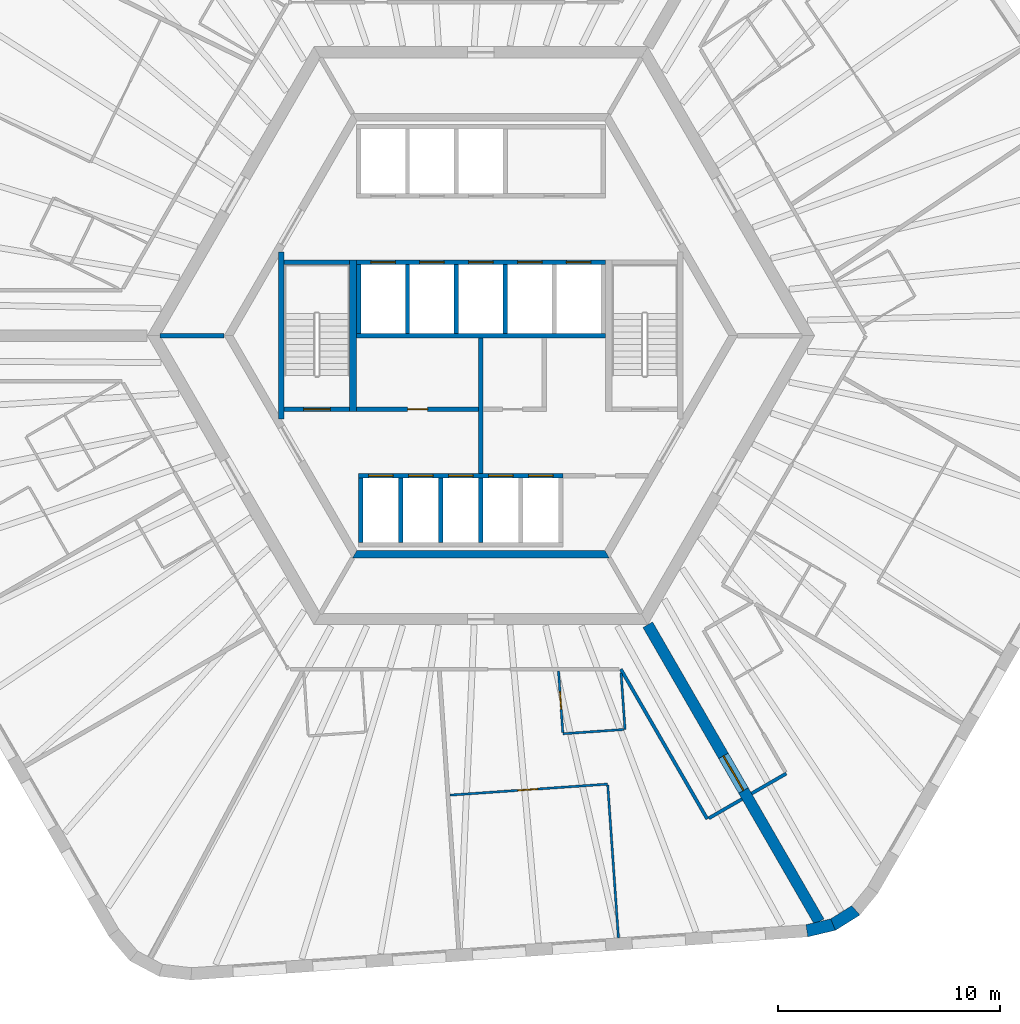
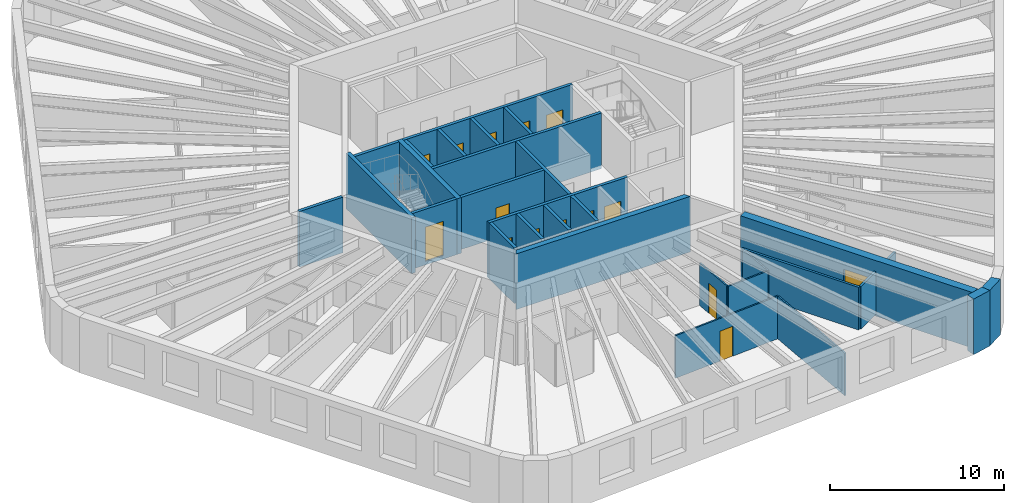
# One storey, part 4 of 10: 30 walls, 15 doors, 15 openings.
"""IFC4 building model written with IfcOpenShell, lengths in metres."""

from ifc_helpers import new_model, si_unit, direction, frame, frame_2d, origin, place, context, subcontext, project, spatial, polyline, rectangle, outline, extrude, material, layer, layer_set, type_object, element, fill, save


model = new_model("IFC4")

# Units and contexts
model_context = context("Model", 3, precision=1e-05, world=origin(), true_north=direction((0.0, 1.0)))
body_context = subcontext(model_context, "Body", "Model", "MODEL_VIEW")
ifc_project = project(units=[si_unit("LENGTHUNIT", "METRE"), si_unit("AREAUNIT", "SQUARE_METRE"), si_unit("VOLUMEUNIT", "CUBIC_METRE"), si_unit("PLANEANGLEUNIT", "RADIAN"), si_unit("MASSUNIT", "GRAM", prefix="KILO")], contexts=[model_context])

# Site, building, storey
site_placement = place(None, origin())
site = spatial("IfcSite", under=ifc_project, at=site_placement, CompositionType="ELEMENT")
building_placement = place(site_placement, origin())
building = spatial("IfcBuilding", under=site, at=building_placement, Name="Tarnside Tower", CompositionType="ELEMENT")
storey_placement = place(building_placement, frame((0.0, 0.0, 172.199951171875)))
storey = spatial("IfcBuildingStorey", under=building, at=storey_placement, Name="L40", CompositionType="ELEMENT", Elevation=172.199951171875)

# Walls
ifc_material_1 = material(Name="Gypsum board partition on steel studs", Category="steel")
ifc_layer_1 = layer(ifc_material_1, 0.10009765625)
ifc_layer_set_1 = layer_set([ifc_layer_1], Name="Bathroom wall 100")
wall_type_1 = type_object("IfcWallType", Name="Bathroom wall 100", PredefinedType="PARTITIONING", material=ifc_layer_set_1)
wall_1_placement = place(storey_placement, frame((6.30517578125, -15.170654296875, 0.0), z_axis=(0.0, 0.0, 1.0), x_axis=(0.069671554491, -0.99756998476, 0.0)))
element("IfcWall", 1, at=wall_1_placement, inside=storey, type_object=wall_type_1, Name="Bathroom wall 12081", PredefinedType="PARTITIONING", context=body_context, shape_type="SweptSolid", body=[
    extrude(rectangle(XDim=2.5439453125, YDim=0.10009765625, at=frame_2d((1.27197265625, 0.0))), origin(), (0.0, 0.0, 1.0), 2.98779296875),
])
wall_2_placement = place(storey_placement, frame((6.4326171875, -17.7119140625, 0.0), z_axis=(0.0, 0.0, 1.0), x_axis=(-0.997562614302, -0.069777005859, 0.0)))
element("IfcWall", 2, at=wall_2_placement, inside=storey, type_object=wall_type_1, Name="Bathroom wall 12082", PredefinedType="PARTITIONING", context=body_context, shape_type="SweptSolid", body=[
    extrude(rectangle(XDim=2.75, YDim=0.10009765625, at=frame_2d((1.375, 0.0))), origin(), (0.0, 0.0, 1.0), 2.98779296875),
])

# Wall, opening, door
wall_3_placement = place(storey_placement, frame((3.685791015625, -17.85400390625, 0.0), z_axis=(0.0, 0.0, 1.0), x_axis=(-0.069758488261, 0.997563909389, 0.0)))
wall_3 = element("IfcWall", 3, at=wall_3_placement, inside=storey, type_object=wall_type_1, Name="Bathroom wall 12083", PredefinedType="PARTITIONING", context=body_context, shape_type="SweptSolid", body=[
    extrude(rectangle(XDim=2.785888671875, YDim=0.10009765625, at=frame_2d((1.39306640625, 0.0))), origin(), (0.0, 0.0, 1.0), 2.98779296875),
])
opening_1_placement = place(wall_3_placement, frame((1.050048828125, 0.0, 0.0)))
opening_1 = element("IfcOpeningElement", 4, at=opening_1_placement, cuts=wall_3, Name="Opening D-B1", PredefinedType="OPENING", context=body_context, shape_type="SweptSolid", body=[
    extrude(rectangle(XDim=0.800048828125, YDim=2.10009765625, at=frame_2d((0.39990234375, 1.050048828125))), frame((0.0, 0.06005859375, 0.0), z_axis=(0.0, -1.0, 0.0), x_axis=(1.0, 0.0, 0.0)), (0.0, 0.0, 1.0), 0.1201171875),
])
ifc_material_2 = material(Name="Timber door leaf", Category="wood")
door_type_1 = type_object("IfcDoorType", Name="Bathroom door 800", OperationType="NOTDEFINED", PredefinedType="DOOR", material=ifc_material_2)
door_1_placement = place(opening_1_placement, origin())
door_1 = element("IfcDoor", 5, at=door_1_placement, inside=storey, type_object=door_type_1, Name="Bathroom door 12020", OperationType="SINGLE_SWING_LEFT", OverallHeight=2.10009765625, OverallWidth=0.800048828125, PredefinedType="DOOR", context=body_context, shape_type="SweptSolid", body=[
    extrude(rectangle(XDim=0.800048828125, YDim=2.10009765625, at=frame_2d((0.39990234375, 1.050048828125))), frame((0.0, 0.02490234375, 0.0), z_axis=(0.0, -1.0, 0.0), x_axis=(1.0, 0.0, 0.0)), (0.0, 0.0, 1.0), 0.050048828125),
])
fill(opening_1, door_1)

# Wall
ifc_material_3 = material(Name="Concrete C50/60", Category="concrete")
ifc_layer_2 = layer(ifc_material_3, 0.35009765625)
ifc_layer_set_2 = layer_set([ifc_layer_2], Name="Core block wall 350 C50/60")
wall_type_2 = type_object("IfcWallType", Name="Core block wall 350 C50/60", PredefinedType="SHEAR", material=ifc_layer_set_2)
wall_4_placement = place(storey_placement, frame((-5.672607421875, -9.824951171875, -0.14990234375), z_axis=(0.0, 0.0, 1.0), x_axis=(1.0, 0.0, 0.0)))
element("IfcWall", 6, at=wall_4_placement, inside=storey, type_object=wall_type_2, Name="L40 core block wall face 4", PredefinedType="SHEAR", context=body_context, shape_type="SweptSolid", body=[
    extrude(outline(polyline([(-0.10107421875, -0.175048828125), (11.4462890625, -0.175048828125), (11.244140625, 0.175048828125), (0.10107421875, 0.175048828125), (-0.10107421875, -0.175048828125)])), origin(), (0.0, 0.0, 1.0), 3.89990234375),
])

# Wall, opening, door
ifc_material_4 = material(Name="Concrete C40/50", Category="concrete")
ifc_layer_3 = layer(ifc_material_4, 0.199951171875)
ifc_layer_set_3 = layer_set([ifc_layer_3], Name="Core room partition 200 C40/50")
wall_type_3 = type_object("IfcWallType", Name="Core room partition 200 C40/50", PredefinedType="PARTITIONING", material=ifc_layer_set_3)
wall_5_placement = place(storey_placement, frame((-5.60009765625, -3.300048828125, 0.0), z_axis=(0.0, 0.0, 1.0), x_axis=(1.0, 0.0, 0.0)))
wall_5 = element("IfcWall", 7, at=wall_5_placement, inside=storey, type_object=wall_type_3, Name="L40 core partition W3", PredefinedType="PARTITIONING", context=body_context, shape_type="SweptSolid", body=[
    extrude(rectangle(XDim=5.5, YDim=0.199951171875, at=frame_2d((2.75, 0.0))), origin(), (0.0, 0.0, 1.0), 3.650146484375),
])
opening_2_placement = place(wall_5_placement, frame((2.300048828125, 0.0, 0.0)))
opening_2 = element("IfcOpeningElement", 8, at=opening_2_placement, cuts=wall_5, Name="Opening CD-room", PredefinedType="OPENING", context=body_context, shape_type="SweptSolid", body=[
    extrude(rectangle(XDim=0.89990234375, YDim=2.10009765625, at=frame_2d((0.449951171875, 1.050048828125))), frame((0.0, 0.10986328125, 0.0), z_axis=(0.0, -1.0, 0.0), x_axis=(1.0, 0.0, 0.0)), (0.0, 0.0, 1.0), 0.219970703125),
])
ifc_material_5 = material(Name="Steel fire door", Category="steel")
door_type_2 = type_object("IfcDoorType", Name="Room door FD60 900x2100", OperationType="NOTDEFINED", PredefinedType="DOOR", material=ifc_material_5)
door_2_placement = place(opening_2_placement, origin())
door_2 = element("IfcDoor", 9, at=door_2_placement, inside=storey, type_object=door_type_2, Name="L40 core room door W3D", OperationType="SINGLE_SWING_LEFT", OverallHeight=2.10009765625, OverallWidth=0.89990234375, PredefinedType="DOOR", context=body_context, shape_type="SweptSolid", body=[
    extrude(rectangle(XDim=0.89990234375, YDim=2.10009765625, at=frame_2d((0.449951171875, 1.050048828125))), frame((0.0, 0.02490234375, 0.0), z_axis=(0.0, -1.0, 0.0), x_axis=(1.0, 0.0, 0.0)), (0.0, 0.0, 1.0), 0.050048828125),
])
fill(opening_2, door_2)

# Wall
wall_6_placement = place(storey_placement, frame((0.0, -6.199951171875, 0.0), z_axis=(0.0, 0.0, 1.0), x_axis=(0.0, 1.0, 0.0)))
element("IfcWall", 10, at=wall_6_placement, inside=storey, type_object=wall_type_3, Name="L40 core partition X0", PredefinedType="PARTITIONING", context=body_context, shape_type="SweptSolid", body=[
    extrude(rectangle(XDim=6.099853515625, YDim=0.199951171875, at=frame_2d((3.0498046875, 0.0))), origin(), (0.0, 0.0, 1.0), 3.650146484375),
])

# Wall, opening, door
ifc_material_6 = material(Name="Concrete C70/85", Category="concrete")
ifc_layer_4 = layer(ifc_material_6, 0.5)
ifc_layer_set_4 = layer_set([ifc_layer_4], Name="Core wall Z2 500 C70/85")
wall_type_4 = type_object("IfcWallType", Name="Core wall Z2 500 C70/85", PredefinedType="SHEAR", material=ifc_layer_set_4)
wall_7_placement = place(storey_placement, frame((7.505615234375, -13.0, -0.14990234375), z_axis=(0.0, 0.0, 1.0), x_axis=(0.499988271576, -0.866032175087, 0.0)))
wall_7 = element("IfcWall", 11, at=wall_7_placement, inside=storey, type_object=wall_type_4, Name="L40 spine wall 3", PredefinedType="SHEAR", context=body_context, shape_type="SweptSolid", body=[
    extrude(rectangle(XDim=15.423583984375, YDim=0.5, at=frame_2d((7.7119140625, 0.0))), origin(), (0.0, 0.0, 1.0), 3.89990234375),
])
opening_3_placement = place(wall_7_placement, frame((6.811767578125, 0.0, 0.14990234375)))
opening_3 = element("IfcOpeningElement", 12, at=opening_3_placement, cuts=wall_7, Name="Opening CD-SPN", PredefinedType="OPENING", context=body_context, shape_type="SweptSolid", body=[
    extrude(rectangle(XDim=1.800048828125, YDim=2.39990234375, at=frame_2d((0.89990234375, 1.199951171875))), frame((0.0, 0.260009765625, 0.0), z_axis=(0.0, -1.0, 0.0), x_axis=(1.0, 0.0, 0.0)), (0.0, 0.0, 1.0), 0.52001953125),
])
door_type_3 = type_object("IfcDoorType", Name="Spine passage double door FD60 1800x2400", OperationType="NOTDEFINED", PredefinedType="DOOR", material=ifc_material_5)
door_3_placement = place(opening_3_placement, origin())
door_3 = element("IfcDoor", 13, at=door_3_placement, inside=storey, type_object=door_type_3, Name="L40 spine passage door 3", OperationType="DOUBLE_DOOR_SINGLE_SWING", OverallHeight=2.39990234375, OverallWidth=1.800048828125, PredefinedType="DOOR", context=body_context, shape_type="SweptSolid", body=[
    extrude(rectangle(XDim=1.800048828125, YDim=2.39990234375, at=frame_2d((0.89990234375, 1.199951171875))), frame((0.0, 0.02490234375, 0.0), z_axis=(0.0, -1.0, 0.0), x_axis=(1.0, 0.0, 0.0)), (0.0, 0.0, 1.0), 0.050048828125),
])
fill(opening_3, door_3)

# Walls
ifc_layer_5 = layer(ifc_material_1, 0.14990234375)
ifc_layer_set_5 = layer_set([ifc_layer_5], Name="Corridor wall 150 EI 60")
wall_type_5 = type_object("IfcWallType", Name="Corridor wall 150 EI 60", PredefinedType="PARTITIONING", material=ifc_layer_set_5)
wall_8_placement = place(storey_placement, frame((6.293212890625, -15.0, 0.0), z_axis=(0.0, 0.0, 1.0), x_axis=(0.499980313799, -0.86603676932, 0.0)))
element("IfcWall", 14, at=wall_8_placement, inside=storey, type_object=wall_type_5, Name="Corridor wall 12025", PredefinedType="PARTITIONING", context=body_context, shape_type="SweptSolid", body=[
    extrude(rectangle(XDim=7.785888671875, YDim=0.14990234375, at=frame_2d((3.89306640625, 0.0))), origin(), (0.0, 0.0, 1.0), 2.98779296875),
])
wall_9_placement = place(storey_placement, frame((10.2509765625, -21.705322265625, 0.0), z_axis=(0.0, 0.0, 1.0), x_axis=(0.866013532718, 0.500020560727, 0.0)))
element("IfcWall", 15, at=wall_9_placement, inside=storey, type_object=wall_type_5, Name="Corridor wall 12026", PredefinedType="PARTITIONING", context=body_context, shape_type="SweptSolid", body=[
    extrude(rectangle(XDim=1.72509765625, YDim=0.14990234375, at=frame_2d((0.862548828125, 0.0))), origin(), (0.0, 0.0, 1.0), 2.98779296875),
])
wall_10_placement = place(storey_placement, frame((12.177978515625, -20.5927734375, 0.0), z_axis=(0.0, 0.0, 1.0), x_axis=(0.866047807691, 0.499961193289, 0.0)))
element("IfcWall", 16, at=wall_10_placement, inside=storey, type_object=wall_type_5, Name="Corridor wall 12028", PredefinedType="PARTITIONING", context=body_context, shape_type="SweptSolid", body=[
    extrude(rectangle(XDim=1.800048828125, YDim=0.14990234375, at=frame_2d((0.89990234375, 0.0))), origin(), (0.0, 0.0, 1.0), 2.98779296875),
])

# Wall, openings, doors
ifc_layer_6 = layer(ifc_material_4, 0.199951171875)
ifc_layer_set_6 = layer_set([ifc_layer_6], Name="Lift shaft wall 200 C40/50")
wall_type_6 = type_object("IfcWallType", Name="Lift shaft wall 200 C40/50", PredefinedType="SHEAR", material=ifc_layer_set_6)
wall_11_placement = place(storey_placement, frame((-5.60009765625, 3.300048828125, -0.25), z_axis=(0.0, 0.0, 1.0), x_axis=(1.0, 0.0, 0.0)))
wall_11 = element("IfcWall", 17, at=wall_11_placement, inside=storey, type_object=wall_type_6, Name="L40 lift shaft front wall R2", PredefinedType="SHEAR", context=body_context, shape_type="SweptSolid", body=[
    extrude(rectangle(XDim=11.2001953125, YDim=0.199951171875, at=frame_2d((5.60009765625, 0.0))), origin(), (0.0, 0.0, 1.0), 3.900146484375),
])
opening_4_placement = place(wall_11_placement, frame((0.64990234375, 0.0, 0.25)))
opening_4 = element("IfcOpeningElement", 18, at=opening_4_placement, cuts=wall_11, Name="Opening LD", PredefinedType="OPENING", context=body_context, shape_type="SweptSolid", body=[
    extrude(rectangle(XDim=1.10009765625, YDim=2.10009765625, at=frame_2d((0.550048828125, 1.050048828125))), frame((0.0, 0.10986328125, 0.0), z_axis=(0.0, -1.0, 0.0), x_axis=(1.0, 0.0, 0.0)), (0.0, 0.0, 1.0), 0.219970703125),
])
opening_5_placement = place(wall_11_placement, frame((2.85009765625, 0.0, 0.25)))
opening_5 = element("IfcOpeningElement", 19, at=opening_5_placement, cuts=wall_11, Name="Opening LD", PredefinedType="OPENING", context=body_context, shape_type="SweptSolid", body=[
    extrude(rectangle(XDim=1.10009765625, YDim=2.10009765625, at=frame_2d((0.550048828125, 1.050048828125))), frame((0.0, 0.10986328125, 0.0), z_axis=(0.0, -1.0, 0.0), x_axis=(1.0, 0.0, 0.0)), (0.0, 0.0, 1.0), 0.219970703125),
])
opening_6_placement = place(wall_11_placement, frame((5.050048828125, 0.0, 0.25)))
opening_6 = element("IfcOpeningElement", 20, at=opening_6_placement, cuts=wall_11, Name="Opening LD", PredefinedType="OPENING", context=body_context, shape_type="SweptSolid", body=[
    extrude(rectangle(XDim=1.10009765625, YDim=2.10009765625, at=frame_2d((0.550048828125, 1.050048828125))), frame((0.0, 0.10986328125, 0.0), z_axis=(0.0, -1.0, 0.0), x_axis=(1.0, 0.0, 0.0)), (0.0, 0.0, 1.0), 0.219970703125),
])
opening_7_placement = place(wall_11_placement, frame((7.25, 0.0, 0.25)))
opening_7 = element("IfcOpeningElement", 21, at=opening_7_placement, cuts=wall_11, Name="Opening LD", PredefinedType="OPENING", context=body_context, shape_type="SweptSolid", body=[
    extrude(rectangle(XDim=1.10009765625, YDim=2.10009765625, at=frame_2d((0.550048828125, 1.050048828125))), frame((0.0, 0.10986328125, 0.0), z_axis=(0.0, -1.0, 0.0), x_axis=(1.0, 0.0, 0.0)), (0.0, 0.0, 1.0), 0.219970703125),
])
opening_8_placement = place(wall_11_placement, frame((9.449951171875, 0.0, 0.25)))
opening_8 = element("IfcOpeningElement", 22, at=opening_8_placement, cuts=wall_11, Name="Opening LD", PredefinedType="OPENING", context=body_context, shape_type="SweptSolid", body=[
    extrude(rectangle(XDim=1.10009765625, YDim=2.10009765625, at=frame_2d((0.550048828125, 1.050048828125))), frame((0.0, 0.10986328125, 0.0), z_axis=(0.0, -1.0, 0.0), x_axis=(1.0, 0.0, 0.0)), (0.0, 0.0, 1.0), 0.219970703125),
])
ifc_material_7 = material(Name="Stainless steel", Category="steel")
door_type_4 = type_object("IfcDoorType", Name="Lift landing door 1100x2100", OperationType="NOTDEFINED", PredefinedType="DOOR", material=ifc_material_7)
door_4_placement = place(opening_4_placement, origin())
door_4 = element("IfcDoor", 23, at=door_4_placement, inside=storey, type_object=door_type_4, Name="Mid-rise lift 4 landing door L40", OperationType="SLIDING_TO_LEFT", OverallHeight=2.10009765625, OverallWidth=1.10009765625, PredefinedType="DOOR", context=body_context, shape_type="SweptSolid", body=[
    extrude(rectangle(XDim=1.10009765625, YDim=2.10009765625, at=frame_2d((0.550048828125, 1.050048828125))), frame((0.0, 0.02490234375, 0.0), z_axis=(0.0, -1.0, 0.0), x_axis=(1.0, 0.0, 0.0)), (0.0, 0.0, 1.0), 0.050048828125),
])
fill(opening_4, door_4)
door_5_placement = place(opening_5_placement, origin())
door_5 = element("IfcDoor", 24, at=door_5_placement, inside=storey, type_object=door_type_4, Name="Mid-rise lift 5 landing door L40", OperationType="SLIDING_TO_LEFT", OverallHeight=2.10009765625, OverallWidth=1.10009765625, PredefinedType="DOOR", context=body_context, shape_type="SweptSolid", body=[
    extrude(rectangle(XDim=1.10009765625, YDim=2.10009765625, at=frame_2d((0.550048828125, 1.050048828125))), frame((0.0, 0.02490234375, 0.0), z_axis=(0.0, -1.0, 0.0), x_axis=(1.0, 0.0, 0.0)), (0.0, 0.0, 1.0), 0.050048828125),
])
fill(opening_5, door_5)
door_6_placement = place(opening_6_placement, origin())
door_6 = element("IfcDoor", 25, at=door_6_placement, inside=storey, type_object=door_type_4, Name="Mid-rise lift 6 landing door L40", OperationType="SLIDING_TO_LEFT", OverallHeight=2.10009765625, OverallWidth=1.10009765625, PredefinedType="DOOR", context=body_context, shape_type="SweptSolid", body=[
    extrude(rectangle(XDim=1.10009765625, YDim=2.10009765625, at=frame_2d((0.550048828125, 1.050048828125))), frame((0.0, 0.02490234375, 0.0), z_axis=(0.0, -1.0, 0.0), x_axis=(1.0, 0.0, 0.0)), (0.0, 0.0, 1.0), 0.050048828125),
])
fill(opening_6, door_6)
door_7_placement = place(opening_7_placement, origin())
door_7 = element("IfcDoor", 26, at=door_7_placement, inside=storey, type_object=door_type_4, Name="High sky-lobby shuttle 1 landing door L40", OperationType="SLIDING_TO_LEFT", OverallHeight=2.10009765625, OverallWidth=1.10009765625, PredefinedType="DOOR", context=body_context, shape_type="SweptSolid", body=[
    extrude(rectangle(XDim=1.10009765625, YDim=2.10009765625, at=frame_2d((0.550048828125, 1.050048828125))), frame((0.0, 0.02490234375, 0.0), z_axis=(0.0, -1.0, 0.0), x_axis=(1.0, 0.0, 0.0)), (0.0, 0.0, 1.0), 0.050048828125),
])
fill(opening_7, door_7)
door_8_placement = place(opening_8_placement, origin())
door_8 = element("IfcDoor", 27, at=door_8_placement, inside=storey, type_object=door_type_4, Name="Express sky-lobby shuttle 2 landing door L40", OperationType="SLIDING_TO_LEFT", OverallHeight=2.10009765625, OverallWidth=1.10009765625, PredefinedType="DOOR", context=body_context, shape_type="SweptSolid", body=[
    extrude(rectangle(XDim=1.10009765625, YDim=2.10009765625, at=frame_2d((0.550048828125, 1.050048828125))), frame((0.0, 0.02490234375, 0.0), z_axis=(0.0, -1.0, 0.0), x_axis=(1.0, 0.0, 0.0)), (0.0, 0.0, 1.0), 0.050048828125),
])
fill(opening_8, door_8)

# Walls
wall_12_placement = place(storey_placement, frame((-5.60009765625, 0.0, -0.25), z_axis=(0.0, 0.0, 1.0), x_axis=(1.0, 0.0, 0.0)))
element("IfcWall", 28, at=wall_12_placement, inside=storey, type_object=wall_type_6, Name="L40 lift shaft back wall R2", PredefinedType="SHEAR", context=body_context, shape_type="SweptSolid", body=[
    extrude(rectangle(XDim=11.2001953125, YDim=0.199951171875, at=frame_2d((5.60009765625, 0.0))), origin(), (0.0, 0.0, 1.0), 3.900146484375),
])
for number, where, z_axis, x_axis, name in (
    (29, (-5.5, 0.10009765625, -0.25), (0.0, 0.0, 1.0), (0.0, 1.0, 0.0), "L40 lift shaft partition R21"),
    (30, (-3.300048828125, 0.10009765625, -0.25), (0.0, 0.0, 1.0), (0.0, 1.0, 0.0), "L40 lift shaft partition R22"),
    (31, (-1.10009765625, 0.10009765625, -0.25), (0.0, 0.0, 1.0), (0.0, 1.0, 0.0), "L40 lift shaft partition R23"),
    (32, (1.10009765625, 0.10009765625, -0.25), (0.0, 0.0, 1.0), (0.0, 1.0, 0.0), "L40 lift shaft partition R24"),
):
    element("IfcWall", number, at=place(storey_placement, frame(where, z_axis=z_axis, x_axis=x_axis)), inside=storey, type_object=wall_type_6, Name=name, PredefinedType="SHEAR", context=body_context, shape_type="SweptSolid", body=[
        extrude(rectangle(XDim=3.099853515625, YDim=0.199951171875, at=frame_2d((1.5498046875, 0.0))), origin(), (0.0, 0.0, 1.0), 3.900146484375),
    ])

# Wall, openings, doors
wall_13_placement = place(storey_placement, frame((-5.5, -6.300048828125, -0.25), z_axis=(0.0, 0.0, 1.0), x_axis=(1.0, 0.0, 0.0)))
wall_13 = element("IfcWall", 33, at=wall_13_placement, inside=storey, type_object=wall_type_6, Name="L40 lift shaft front wall R4", PredefinedType="SHEAR", context=body_context, shape_type="SweptSolid", body=[
    extrude(rectangle(XDim=9.199951171875, YDim=0.199951171875, at=frame_2d((4.60009765625, 0.0))), origin(), (0.0, 0.0, 1.0), 3.900146484375),
])
opening_9_placement = place(wall_13_placement, frame((0.449951171875, 0.0, 0.25)))
opening_9 = element("IfcOpeningElement", 34, at=opening_9_placement, cuts=wall_13, Name="Opening LDF", PredefinedType="OPENING", context=body_context, shape_type="SweptSolid", body=[
    extrude(rectangle(XDim=1.10009765625, YDim=2.10009765625, at=frame_2d((0.550048828125, 1.050048828125))), frame((0.0, 0.10986328125, 0.0), z_axis=(0.0, -1.0, 0.0), x_axis=(1.0, 0.0, 0.0)), (0.0, 0.0, 1.0), 0.219970703125),
])
opening_10_placement = place(wall_13_placement, frame((2.25, 0.0, 0.25)))
opening_10 = element("IfcOpeningElement", 35, at=opening_10_placement, cuts=wall_13, Name="Opening LDF", PredefinedType="OPENING", context=body_context, shape_type="SweptSolid", body=[
    extrude(rectangle(XDim=1.10009765625, YDim=2.10009765625, at=frame_2d((0.550048828125, 1.050048828125))), frame((0.0, 0.10986328125, 0.0), z_axis=(0.0, -1.0, 0.0), x_axis=(1.0, 0.0, 0.0)), (0.0, 0.0, 1.0), 0.219970703125),
])
opening_11_placement = place(wall_13_placement, frame((4.050048828125, 0.0, 0.25)))
opening_11 = element("IfcOpeningElement", 36, at=opening_11_placement, cuts=wall_13, Name="Opening LDF", PredefinedType="OPENING", context=body_context, shape_type="SweptSolid", body=[
    extrude(rectangle(XDim=1.10009765625, YDim=2.10009765625, at=frame_2d((0.550048828125, 1.050048828125))), frame((0.0, 0.10986328125, 0.0), z_axis=(0.0, -1.0, 0.0), x_axis=(1.0, 0.0, 0.0)), (0.0, 0.0, 1.0), 0.219970703125),
])
opening_12_placement = place(wall_13_placement, frame((5.85009765625, 0.0, 0.25)))
opening_12 = element("IfcOpeningElement", 37, at=opening_12_placement, cuts=wall_13, Name="Opening LDF", PredefinedType="OPENING", context=body_context, shape_type="SweptSolid", body=[
    extrude(rectangle(XDim=1.10009765625, YDim=2.10009765625, at=frame_2d((0.550048828125, 1.050048828125))), frame((0.0, 0.10986328125, 0.0), z_axis=(0.0, -1.0, 0.0), x_axis=(1.0, 0.0, 0.0)), (0.0, 0.0, 1.0), 0.219970703125),
])
opening_13_placement = place(wall_13_placement, frame((7.64990234375, 0.0, 0.25)))
opening_13 = element("IfcOpeningElement", 38, at=opening_13_placement, cuts=wall_13, Name="Opening LDF", PredefinedType="OPENING", context=body_context, shape_type="SweptSolid", body=[
    extrude(rectangle(XDim=1.10009765625, YDim=2.10009765625, at=frame_2d((0.550048828125, 1.050048828125))), frame((0.0, 0.10986328125, 0.0), z_axis=(0.0, -1.0, 0.0), x_axis=(1.0, 0.0, 0.0)), (0.0, 0.0, 1.0), 0.219970703125),
])
door_type_5 = type_object("IfcDoorType", Name="Lift landing door 1100x2100 EI 120", OperationType="NOTDEFINED", PredefinedType="DOOR", material=ifc_material_7)
door_9_placement = place(opening_9_placement, origin())
door_9 = element("IfcDoor", 39, at=door_9_placement, inside=storey, type_object=door_type_5, Name="Firefighting lift 1 landing door L40", OperationType="SLIDING_TO_LEFT", OverallHeight=2.10009765625, OverallWidth=1.10009765625, PredefinedType="DOOR", context=body_context, shape_type="SweptSolid", body=[
    extrude(rectangle(XDim=1.10009765625, YDim=2.10009765625, at=frame_2d((0.550048828125, 1.050048828125))), frame((0.0, 0.02490234375, 0.0), z_axis=(0.0, -1.0, 0.0), x_axis=(1.0, 0.0, 0.0)), (0.0, 0.0, 1.0), 0.050048828125),
])
fill(opening_9, door_9)
door_10_placement = place(opening_10_placement, origin())
door_10 = element("IfcDoor", 40, at=door_10_placement, inside=storey, type_object=door_type_5, Name="Firefighting lift 2 landing door L40", OperationType="SLIDING_TO_LEFT", OverallHeight=2.10009765625, OverallWidth=1.10009765625, PredefinedType="DOOR", context=body_context, shape_type="SweptSolid", body=[
    extrude(rectangle(XDim=1.10009765625, YDim=2.10009765625, at=frame_2d((0.550048828125, 1.050048828125))), frame((0.0, 0.02490234375, 0.0), z_axis=(0.0, -1.0, 0.0), x_axis=(1.0, 0.0, 0.0)), (0.0, 0.0, 1.0), 0.050048828125),
])
fill(opening_10, door_10)
door_11_placement = place(opening_11_placement, origin())
door_11 = element("IfcDoor", 41, at=door_11_placement, inside=storey, type_object=door_type_5, Name="Firefighting lift 3 landing door L40", OperationType="SLIDING_TO_LEFT", OverallHeight=2.10009765625, OverallWidth=1.10009765625, PredefinedType="DOOR", context=body_context, shape_type="SweptSolid", body=[
    extrude(rectangle(XDim=1.10009765625, YDim=2.10009765625, at=frame_2d((0.550048828125, 1.050048828125))), frame((0.0, 0.02490234375, 0.0), z_axis=(0.0, -1.0, 0.0), x_axis=(1.0, 0.0, 0.0)), (0.0, 0.0, 1.0), 0.050048828125),
])
fill(opening_11, door_11)
door_12_placement = place(opening_12_placement, origin())
door_12 = element("IfcDoor", 42, at=door_12_placement, inside=storey, type_object=door_type_5, Name="Firefighting lift 4 landing door L40", OperationType="SLIDING_TO_LEFT", OverallHeight=2.10009765625, OverallWidth=1.10009765625, PredefinedType="DOOR", context=body_context, shape_type="SweptSolid", body=[
    extrude(rectangle(XDim=1.10009765625, YDim=2.10009765625, at=frame_2d((0.550048828125, 1.050048828125))), frame((0.0, 0.02490234375, 0.0), z_axis=(0.0, -1.0, 0.0), x_axis=(1.0, 0.0, 0.0)), (0.0, 0.0, 1.0), 0.050048828125),
])
fill(opening_12, door_12)
door_13_placement = place(opening_13_placement, origin())
door_13 = element("IfcDoor", 43, at=door_13_placement, inside=storey, type_object=door_type_5, Name="Firefighting lift 5 landing door L40", OperationType="SLIDING_TO_LEFT", OverallHeight=2.10009765625, OverallWidth=1.10009765625, PredefinedType="DOOR", context=body_context, shape_type="SweptSolid", body=[
    extrude(rectangle(XDim=1.10009765625, YDim=2.10009765625, at=frame_2d((0.550048828125, 1.050048828125))), frame((0.0, 0.02490234375, 0.0), z_axis=(0.0, -1.0, 0.0), x_axis=(1.0, 0.0, 0.0)), (0.0, 0.0, 1.0), 0.050048828125),
])
fill(opening_13, door_13)

# Walls
for number, where, z_axis, x_axis, name in (
    (44, (-5.39990234375, -9.300048828125, -0.25), (0.0, 0.0, 1.0), (0.0, 1.0, 0.0), "L40 lift shaft partition R41"),
    (45, (-3.60009765625, -9.300048828125, -0.25), (0.0, 0.0, 1.0), (0.0, 1.0, 0.0), "L40 lift shaft partition R42"),
    (46, (-1.800048828125, -9.300048828125, -0.25), (0.0, 0.0, 1.0), (0.0, 1.0, 0.0), "L40 lift shaft partition R43"),
    (47, (0.0, -9.300048828125, -0.25), (0.0, 0.0, 1.0), (0.0, 1.0, 0.0), "L40 lift shaft partition R44"),
):
    element("IfcWall", number, at=place(storey_placement, frame(where, z_axis=z_axis, x_axis=x_axis)), inside=storey, type_object=wall_type_6, Name=name, PredefinedType="SHEAR", context=body_context, shape_type="SweptSolid", body=[
        extrude(rectangle(XDim=2.900146484375, YDim=0.199951171875, at=frame_2d((1.4501953125, 0.0))), origin(), (0.0, 0.0, 1.0), 3.900146484375),
    ])
wall_14_placement = place(storey_placement, frame((-11.547119140625, 0.0, -0.14990234375), z_axis=(0.0, 0.0, 1.0), x_axis=(-1.0, 0.0, 0.0)))
element("IfcWall", 48, at=wall_14_placement, inside=storey, type_object=wall_type_6, Name="L40 core partition AR180", PredefinedType="SHEAR", context=body_context, shape_type="SweptSolid", body=[
    extrude(rectangle(XDim=2.88671875, YDim=0.199951171875, at=frame_2d((1.443359375, 0.0))), origin(), (0.0, 0.0, 1.0), 3.89990234375),
])
wall_15_placement = place(storey_placement, frame((-8.85009765625, 3.300048828125, -0.25), z_axis=(0.0, 0.0, 1.0), x_axis=(1.0, 0.0, 0.0)))
element("IfcWall", 49, at=wall_15_placement, inside=storey, type_object=wall_type_6, Name="L40 stair 2 enclosure cap wall n", PredefinedType="SHEAR", context=body_context, shape_type="SweptSolid", body=[
    extrude(rectangle(XDim=2.9501953125, YDim=0.199951171875, at=frame_2d((1.47509765625, 0.0))), origin(), (0.0, 0.0, 1.0), 3.900146484375),
])

# Wall, opening, door
wall_16_placement = place(storey_placement, frame((-8.85009765625, -3.300048828125, -0.25), z_axis=(0.0, 0.0, 1.0), x_axis=(1.0, 0.0, 0.0)))
wall_16 = element("IfcWall", 50, at=wall_16_placement, inside=storey, type_object=wall_type_6, Name="L40 stair 2 enclosure cap wall s", PredefinedType="SHEAR", context=body_context, shape_type="SweptSolid", body=[
    extrude(rectangle(XDim=2.9501953125, YDim=0.199951171875, at=frame_2d((1.47509765625, 0.0))), origin(), (0.0, 0.0, 1.0), 3.900146484375),
])
opening_14_placement = place(wall_16_placement, frame((0.875, 0.0, 0.25)))
opening_14 = element("IfcOpeningElement", 51, at=opening_14_placement, cuts=wall_16, Name="Opening CD-STR", PredefinedType="OPENING", context=body_context, shape_type="SweptSolid", body=[
    extrude(rectangle(XDim=1.199951171875, YDim=2.39990234375, at=frame_2d((0.60009765625, 1.199951171875))), frame((0.0, 0.10986328125, 0.0), z_axis=(0.0, -1.0, 0.0), x_axis=(1.0, 0.0, 0.0)), (0.0, 0.0, 1.0), 0.219970703125),
])
door_type_6 = type_object("IfcDoorType", Name="Stair door FD60S 1200x2400", OperationType="NOTDEFINED", PredefinedType="DOOR", material=ifc_material_5)
door_14_placement = place(opening_14_placement, origin())
door_14 = element("IfcDoor", 52, at=door_14_placement, inside=storey, type_object=door_type_6, Name="L40 stair 2 door", OperationType="SINGLE_SWING_LEFT", OverallHeight=2.39990234375, OverallWidth=1.199951171875, PredefinedType="DOOR", context=body_context, shape_type="SweptSolid", body=[
    extrude(rectangle(XDim=1.199951171875, YDim=2.39990234375, at=frame_2d((0.60009765625, 1.199951171875))), frame((0.0, 0.02490234375, 0.0), z_axis=(0.0, -1.0, 0.0), x_axis=(1.0, 0.0, 0.0)), (0.0, 0.0, 1.0), 0.050048828125),
])
fill(opening_14, door_14)

ifc_layer_7 = layer(ifc_material_1, 0.10009765625)
ifc_layer_set_7 = layer_set([ifc_layer_7], Name="Partition 100")
wall_type_7 = type_object("IfcWallType", Name="Partition 100", PredefinedType="PARTITIONING", material=ifc_layer_set_7)
wall_17_placement = place(storey_placement, frame((-1.389892578125, -20.664794921875, 0.0), z_axis=(0.0, 0.0, 1.0), x_axis=(0.997565277642, 0.069738919141, 0.0)))
wall_17 = element("IfcWall", 53, at=wall_17_placement, inside=storey, type_object=wall_type_7, Name="Partition wall 12084", PredefinedType="PARTITIONING", context=body_context, shape_type="SweptSolid", body=[
    extrude(rectangle(XDim=7.110107421875, YDim=0.10009765625, at=frame_2d((3.55517578125, 0.0))), origin(), (0.0, 0.0, 1.0), 2.98779296875),
])
opening_15_placement = place(wall_17_placement, frame((3.06005859375, 0.0, 0.0)))
opening_15 = element("IfcOpeningElement", 54, at=opening_15_placement, cuts=wall_17, Name="Opening D-I1", PredefinedType="OPENING", context=body_context, shape_type="SweptSolid", body=[
    extrude(rectangle(XDim=0.89990234375, YDim=2.10009765625, at=frame_2d((0.449951171875, 1.050048828125))), frame((0.0, 0.06005859375, 0.0), z_axis=(0.0, -1.0, 0.0), x_axis=(1.0, 0.0, 0.0)), (0.0, 0.0, 1.0), 0.1201171875),
])
door_type_7 = type_object("IfcDoorType", Name="Internal door 900", OperationType="NOTDEFINED", PredefinedType="DOOR", material=ifc_material_2)
door_15_placement = place(opening_15_placement, origin())
door_15 = element("IfcDoor", 55, at=door_15_placement, inside=storey, type_object=door_type_7, Name="Internal door 12021", OperationType="SINGLE_SWING_RIGHT", OverallHeight=2.10009765625, OverallWidth=0.89990234375, PredefinedType="DOOR", context=body_context, shape_type="SweptSolid", body=[
    extrude(rectangle(XDim=0.89990234375, YDim=2.10009765625, at=frame_2d((0.449951171875, 1.050048828125))), frame((0.0, 0.02490234375, 0.0), z_axis=(0.0, -1.0, 0.0), x_axis=(1.0, 0.0, 0.0)), (0.0, 0.0, 1.0), 0.050048828125),
])
fill(opening_15, door_15)

# Walls
wall_18_placement = place(storey_placement, frame((5.706298828125, -20.21875, 0.0), z_axis=(0.0, 0.0, 1.0), x_axis=(0.069774766037, -0.99756277097, 0.0)))
element("IfcWall", 56, at=wall_18_placement, inside=storey, type_object=wall_type_7, Name="Partition wall 12085", PredefinedType="PARTITIONING", context=body_context, shape_type="SweptSolid", body=[
    extrude(rectangle(XDim=6.882568359375, YDim=0.10009765625, at=frame_2d((3.44140625, 0.0))), origin(), (0.0, 0.0, 1.0), 2.98779296875),
])
ifc_layer_8 = layer(ifc_material_4, 0.25)
ifc_layer_set_8 = layer_set([ifc_layer_8], Name="Stair enclosure wall 250 C40/50")
wall_type_8 = type_object("IfcWallType", Name="Stair enclosure wall 250 C40/50", PredefinedType="SHEAR", material=ifc_layer_set_8)
wall_19_placement = place(storey_placement, frame((-8.97509765625, -3.7548828125, -0.25), z_axis=(0.0, 0.0, 1.0), x_axis=(0.0, 1.0, 0.0)))
element("IfcWall", 57, at=wall_19_placement, inside=storey, type_object=wall_type_8, Name="L40 stair 2 enclosure wall outer", PredefinedType="SHEAR", context=body_context, shape_type="SweptSolid", body=[
    extrude(rectangle(XDim=7.509765625, YDim=0.25, at=frame_2d((3.7548828125, 0.0))), origin(), (0.0, 0.0, 1.0), 3.900146484375),
])
ifc_layer_9 = layer(ifc_material_4, 0.300048828125)
ifc_layer_set_9 = layer_set([ifc_layer_9], Name="Stair enclosure wall 300 C40/50")
wall_type_9 = type_object("IfcWallType", Name="Stair enclosure wall 300 C40/50", PredefinedType="SHEAR", material=ifc_layer_set_9)
wall_20_placement = place(storey_placement, frame((-5.75, -3.39990234375, -0.25), z_axis=(0.0, 0.0, 1.0), x_axis=(0.0, 1.0, 0.0)))
element("IfcWall", 58, at=wall_20_placement, inside=storey, type_object=wall_type_9, Name="L40 stair 2 enclosure wall inner", PredefinedType="SHEAR", context=body_context, shape_type="SweptSolid", body=[
    extrude(rectangle(XDim=6.7998046875, YDim=0.300048828125, at=frame_2d((3.39990234375, 0.0))), origin(), (0.0, 0.0, 1.0), 3.900146484375),
])
ifc_material_8 = material(Name="Facing brick", Category="masonry")
ifc_layer_10 = layer(ifc_material_8, 0.10205078125)
ifc_material_9 = material(Name="Concrete C60/75 precast", Category="concrete")
ifc_layer_11 = layer(ifc_material_9, 0.347900390625)
ifc_material_10 = material(Name="Mineral wool insulation")
ifc_layer_12 = layer(ifc_material_10, 0.10009765625)
ifc_layer_set_10 = layer_set([ifc_layer_10, ifc_layer_11, ifc_layer_12], Name="Tube wall 550 brick faced")
wall_type_10 = type_object("IfcWallType", Name="Tube wall 550 brick faced", PredefinedType="SOLIDWALL", material=ifc_layer_set_10)
wall_21_placement = place(storey_placement, frame((14.663818359375, -26.767333984375, -0.14990234375), z_axis=(0.0, 0.0, 1.0), x_axis=(0.973063591128, 0.230536868247, 0.0)))
element("IfcWall", 59, at=wall_21_placement, inside=storey, type_object=wall_type_10, Name="Tube wall L40 F4 chord 13", PredefinedType="SOLIDWALL", context=body_context, shape_type="SweptSolid", body=[
    extrude(outline(polyline([(-0.0224609375, -0.27490234375), (1.25341796875, -0.27490234375), (1.1630859375, 0.27490234375), (0.0224609375, 0.27490234375), (-0.0224609375, -0.27490234375)])), origin(), (0.0, 0.0, 1.0), 3.89990234375),
])
wall_22_placement = place(storey_placement, frame((15.839599609375, -26.48876953125, -0.14990234375), z_axis=(0.0, 0.0, 1.0), x_axis=(0.848009655012, 0.52998077796, 0.0)))
element("IfcWall", 60, at=wall_22_placement, inside=storey, type_object=wall_type_10, Name="Tube wall L40 F4 chord 14", PredefinedType="SOLIDWALL", context=body_context, shape_type="SweptSolid", body=[
    extrude(outline(polyline([(-0.045166015625, -0.27490234375), (1.25341796875, -0.27490234375), (1.1630859375, 0.27490234375), (0.045166015625, 0.27490234375), (-0.045166015625, -0.27490234375)])), origin(), (0.0, 0.0, 1.0), 3.89990234375),
])

save(model, "model.ifc")
